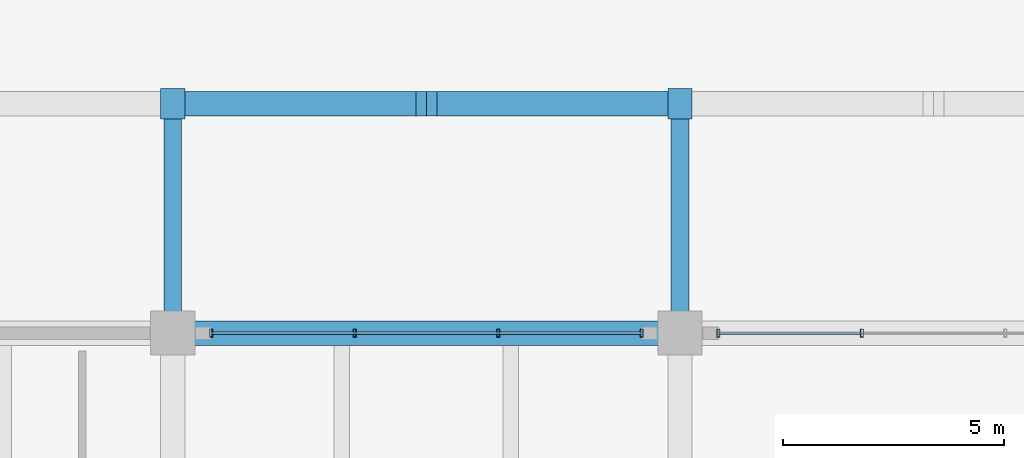
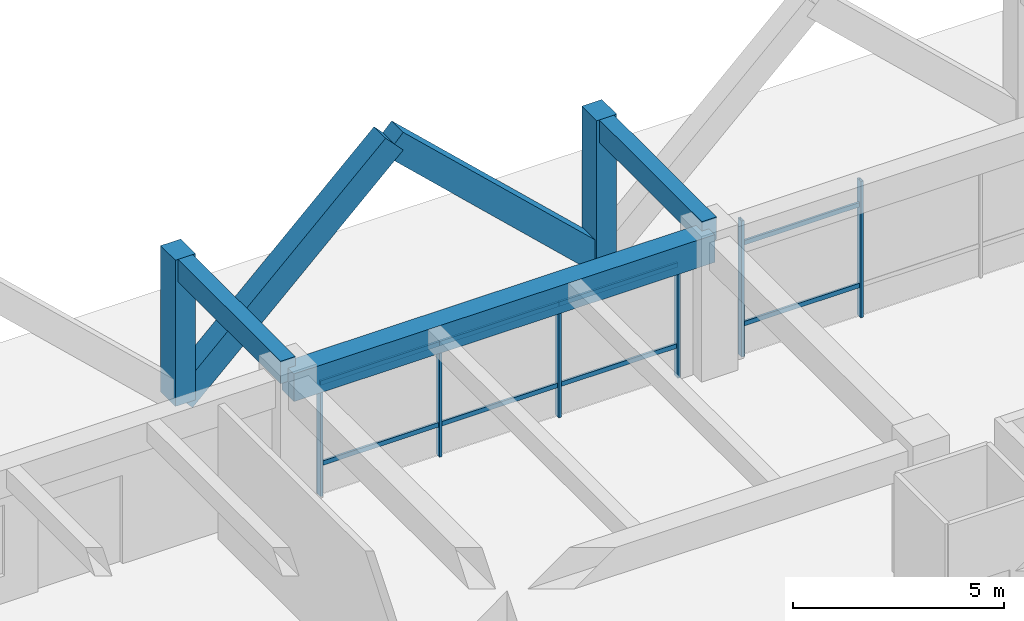
# One storey, part 68 of 109: 18 members, 3 beams, 2 elements without a shape of their own.
"""IFC4 building model written with IfcOpenShell, lengths in metres."""

import ifcopenshell
import ifcopenshell.guid

model = None  # the IFC model being written
_history = None  # IfcOwnerHistory: only IFC2X3 demands one
_inside = {}  # id of a spatial element -> (the spatial element, [elements in it])
_under = {}  # id of a project, library or spatial element -> (it, [spatial elements below it])
_declared = {}  # id of a project -> (the project, [libraries it declares])
_typed = {}  # id of a type object -> (the type object, [elements of that type])
_made_of = {}  # id of a material, layer set ... -> (it, [elements and type objects made of it])


def new_model(schema):
    """Start an empty IFC model of exactly this schema.

    Asked for "IFC4X3", IfcOpenShell would pick the latest addendum, in which some entities
    have other attributes; the version numbers below select the first issue.
    IFC2X3 requires an IfcOwnerHistory on every rooted entity: one is made here for all.
    """
    global model, _history
    if schema == "IFC4X3":
        model = ifcopenshell.file(schema_version=(4, 3, 0, 0))
    else:
        model = ifcopenshell.file(schema=schema)
    _inside.clear()
    _under.clear()
    _declared.clear()
    _typed.clear()
    _made_of.clear()
    _history = None
    if model.schema == "IFC2X3":
        org = make("IfcOrganization", Name="unknown")
        user = make(
            "IfcPersonAndOrganization",
            ThePerson=make("IfcPerson", FamilyName="unknown"),
            TheOrganization=org,
        )
        app = make(
            "IfcApplication",
            ApplicationDeveloper=org,
            Version="unknown",
            ApplicationFullName="unknown",
            ApplicationIdentifier="unknown",
        )
        _history = make(
            "IfcOwnerHistory",
            OwningUser=user,
            OwningApplication=app,
            ChangeAction="ADDED",
            CreationDate=0,
        )
    return model


def make(cls, **values):
    """One entity of the class cls with the attributes given. An attribute that is None is left unset."""
    return model.create_entity(
        cls, **{name: value for name, value in values.items() if value is not None}
    )


def rooted(cls, **values):
    """An entity with a GlobalId (a new one), such as an element, a storey or a relation."""
    return make(cls, GlobalId=ifcopenshell.guid.new(), OwnerHistory=_history, **values)


def si_unit(unit_type, name, prefix=None):
    """IfcSIUnit, for example si_unit("LENGTHUNIT", "METRE", prefix="MILLI")."""
    return make("IfcSIUnit", UnitType=unit_type, Prefix=prefix, Name=name)


def assignment(units):
    """IfcUnitAssignment: the units of a project."""
    return None if units is None else make("IfcUnitAssignment", Units=units)


def point(xyz):
    """IfcCartesianPoint."""
    return None if xyz is None else make("IfcCartesianPoint", Coordinates=xyz)


def direction(xyz):
    """IfcDirection."""
    return None if xyz is None else make("IfcDirection", DirectionRatios=xyz)


def frame(location, z_axis=None, x_axis=None):
    """IfcAxis2Placement3D, a coordinate frame: its origin and axes. An axis left out is left unset."""
    return make(
        "IfcAxis2Placement3D",
        Location=point(location),
        Axis=direction(z_axis),
        RefDirection=direction(x_axis),
    )


def frame_2d(location, x_axis=None):
    """IfcAxis2Placement2D, a coordinate frame in the plane: its origin and x axis."""
    return make(
        "IfcAxis2Placement2D", Location=point(location), RefDirection=direction(x_axis)
    )


def origin():
    """The frame at (0, 0, 0) with its axes left unset."""
    return frame((0.0, 0.0, 0.0))


def origin_2d():
    """The frame at (0, 0) in the plane with its x axis left unset."""
    return frame_2d((0.0, 0.0))


def place(relative_to, where):
    """IfcLocalPlacement: puts the frame where relative to a parent placement (None: the world)."""
    return make(
        "IfcLocalPlacement", PlacementRelTo=relative_to, RelativePlacement=where
    )


def context(
    kind, dimensions, precision=None, world=None, true_north=None, identifier=None
):
    """IfcGeometricRepresentationContext, for example the 3D "Model" context."""
    return make(
        "IfcGeometricRepresentationContext",
        ContextIdentifier=identifier,
        ContextType=kind,
        CoordinateSpaceDimension=dimensions,
        Precision=precision,
        WorldCoordinateSystem=world,
        TrueNorth=true_north,
    )


def subcontext(parent, identifier, kind, view, scale=None):
    """IfcGeometricRepresentationSubContext, for example "Body" below "Model"."""
    return make(
        "IfcGeometricRepresentationSubContext",
        ContextIdentifier=identifier,
        ContextType=kind,
        ParentContext=parent,
        TargetScale=scale,
        TargetView=view,
    )


def project(units=None, contexts=None):
    """IfcProject with its units and contexts."""
    return rooted(
        "IfcProject",
        Name="project",
        RepresentationContexts=contexts,
        UnitsInContext=assignment(units),
    )


def spatial(cls, under=None, at=None, **own):
    """A site, building, storey or space (cls), placed at a placement, below another one or the project."""
    s = rooted(cls, ObjectPlacement=at, **own)
    if under is not None:
        _under.setdefault(under.id(), (under, []))[1].append(s)
    return s


def profile(cls, at=None, kind="AREA", **sizes):
    """A parametric profile (cls). Its sizes go by their IFC names, for example OverallWidth=200.0."""
    return make(cls, ProfileType=kind, Position=at, **sizes)


def rectangle(**sizes):
    """IfcRectangleProfileDef."""
    return profile("IfcRectangleProfileDef", **sizes)


def hollow_rectangle(**sizes):
    """IfcRectangleHollowProfileDef."""
    return profile("IfcRectangleHollowProfileDef", **sizes)


def extrude(swept, where, along, depth):
    """IfcExtrudedAreaSolid: the profile swept, set in the frame where, extruded along a direction by depth."""
    return make(
        "IfcExtrudedAreaSolid",
        SweptArea=swept,
        Position=where,
        ExtrudedDirection=direction(along),
        Depth=depth,
    )


def shape(context_of_items, identifier, shape_type, items):
    """IfcShapeRepresentation: the items that make up one representation, for example the "Body"."""
    return make(
        "IfcShapeRepresentation",
        ContextOfItems=context_of_items,
        RepresentationIdentifier=identifier,
        RepresentationType=shape_type,
        Items=items,
    )


def material(Name=None, Category=None):
    """IfcMaterial."""
    return make("IfcMaterial", Name=Name, Category=Category)


def material_profile(
    of_material, cross_section, Name=None, Category=None, Priority=None
):
    """IfcMaterialProfile: a cross section and its material."""
    return make(
        "IfcMaterialProfile",
        Name=Name,
        Material=of_material,
        Profile=cross_section,
        Priority=Priority,
        Category=Category,
    )


def profile_set(profiles, Name=None, composite=None):
    """IfcMaterialProfileSet."""
    return make(
        "IfcMaterialProfileSet",
        Name=Name,
        MaterialProfiles=profiles,
        CompositeProfile=composite,
    )


def made_of(thing, what):
    """Note that an element or type object is made of a material, layer set ...; save() writes the relation."""
    if what is not None:
        _made_of.setdefault(what.id(), (what, []))[1].append(thing)
    return thing


def type_object(cls, material=None, **own):
    """A type object (cls), such as IfcWallType, which elements share."""
    return made_of(rooted(cls, **own), material)


def element(
    cls,
    number,
    at=None,
    inside=None,
    cuts=None,
    type_object=None,
    material=None,
    context=None,
    identifier="Body",
    shape_type=None,
    held_by="IfcProductDefinitionShape",
    body=None,
    shapes=None,
    **own,
):
    """One element of the class cls, such as IfcWall. Its Tag is "e" and its number.

    at: its placement. inside: the storey or other place that contains it. cuts: it is an
    opening in that element (IfcRelVoidsElement). A single representation is given by context,
    identifier, shape_type and body (its items); several are given by shapes. held_by: the class
    of the entity that holds the representations. save() writes the other relations.
    """
    e = rooted(cls, Tag="e%d" % number, ObjectPlacement=at, **own)
    if body is not None:
        shapes = [shape(context, identifier, shape_type, body)]
    if shapes is not None:
        e.Representation = make(held_by, Representations=shapes)
    if inside is not None:
        _inside.setdefault(inside.id(), (inside, []))[1].append(e)
    if cuts is not None:
        rooted(
            "IfcRelVoidsElement", RelatingBuildingElement=cuts, RelatedOpeningElement=e
        )
    if type_object is not None:
        _typed.setdefault(type_object.id(), (type_object, []))[1].append(e)
    return made_of(e, material)


def aggregate(whole, parts):
    """IfcRelAggregates: a whole, such as a stair, and the parts it consists of."""
    return rooted("IfcRelAggregates", RelatingObject=whole, RelatedObjects=parts)


def save(model, path):
    """Write the relations noted so far, then the file.

    IfcRelAggregates (storeys below a building ...), IfcRelContainedInSpatialStructure (elements
    in a storey), IfcRelDefinesByType, IfcRelAssociatesMaterial and IfcRelDeclares: one each for
    every whole, place, type object, material and project.
    """
    for whole, parts in _under.values():
        aggregate(whole, parts)
    for where, things in _inside.values():
        rooted(
            "IfcRelContainedInSpatialStructure",
            RelatedElements=things,
            RelatingStructure=where,
        )
    for kind, things in _typed.values():
        rooted("IfcRelDefinesByType", RelatedObjects=things, RelatingType=kind)
    for what, things in _made_of.values():
        rooted("IfcRelAssociatesMaterial", RelatedObjects=things, RelatingMaterial=what)
    for by, libraries in _declared.values():
        rooted("IfcRelDeclares", RelatingContext=by, RelatedDefinitions=libraries)
    model.write(path)


model = new_model("IFC4")

# Units and contexts
model_context = context("Model", 3, precision=1e-05, world=origin(), true_north=direction((0.0, 1.0)))
body_context = subcontext(model_context, "Body", "Model", "MODEL_VIEW")
ifc_project = project(units=[si_unit("LENGTHUNIT", "METRE"), si_unit("AREAUNIT", "SQUARE_METRE"), si_unit("VOLUMEUNIT", "CUBIC_METRE"), si_unit("PLANEANGLEUNIT", "RADIAN"), si_unit("MASSUNIT", "GRAM", prefix="KILO")], contexts=[model_context])

# Site, building, storey
site_placement = place(None, origin())
site = spatial("IfcSite", under=ifc_project, at=site_placement, CompositionType="ELEMENT")
building_placement = place(site_placement, origin())
building = spatial("IfcBuilding", under=site, at=building_placement, Name="Ologun Quay Terminus", CompositionType="ELEMENT")
storey_placement = place(building_placement, origin())
storey = spatial("IfcBuildingStorey", under=building, at=storey_placement, Name="L00", CompositionType="ELEMENT", Elevation=0.0)

# Beam
ifc_material_1 = material(Name="Concrete C40/50", Category="concrete")
ifc_material_profile_1 = material_profile(ifc_material_1, rectangle(XDim=0.550048828125, YDim=0.800048828125, at=origin_2d()), Name="RC 550x800")
ifc_profile_set_1 = profile_set([ifc_material_profile_1], Name="Concrete C40/50")
beam_type_1 = type_object("IfcBeamType", Name="Courtyard Wing Primary Girder 550x800", PredefinedType="BEAM", material=ifc_profile_set_1)
beam_placement = place(storey_placement, frame((126.5, 114.800048828125, 3.550048828125), z_axis=(1.0, 0.0, 0.0), x_axis=(0.0, 1.0, 0.0)))
element("IfcBeam", 1, at=beam_placement, inside=storey, type_object=beam_type_1, Name="B4 Beam 12/K L00", PredefinedType="BEAM", context=body_context, shape_type="SweptSolid", body=[
    extrude(rectangle(XDim=0.550048828125, YDim=0.800048828125, at=origin_2d()), origin(), (0.0, 0.0, 1.0), 11.5),
])

# Curtain wall, members
ifc_material_2 = material(Name="Aluminium 6063-T6", Category="aluminium")
curtain_wall_type = type_object("IfcCurtainWallType", Name="Waterfront Pavilion Harbour Curtain Wall L00 10500x3750", PredefinedType="USERDEFINED", material=ifc_material_2)
curtain_wall_1_placement = place(storey_placement, origin())
curtain_wall_1 = element("IfcCurtainWall", 2, at=curtain_wall_1_placement, inside=storey, type_object=curtain_wall_type, Name="CW-22 Curtain Wall CW-L00-120", ObjectType="UNITISED CURTAIN WALL", PredefinedType="USERDEFINED")
ifc_material_3 = material(Name="Aluminium 6063-T6", Category="aluminium")
ifc_material_profile_2 = material_profile(ifc_material_3, hollow_rectangle(XDim=0.070068359375, YDim=0.179931640625, WallThickness=0.0048828125, at=origin_2d()), Name="ALU 180x70x5")
ifc_profile_set_2 = profile_set([ifc_material_profile_2], Name="Aluminium 6063-T6")
member_type_1 = type_object("IfcMemberType", Name="Curtain Wall Heavy Mullion 180x70", PredefinedType="MULLION", material=ifc_profile_set_2)
member_1_placement = place(storey_placement, frame((127.3701171875, 114.800048828125, 0.0), z_axis=(0.0, 0.0, 1.0), x_axis=(1.0, 0.0, 0.0)))
member_1 = element("IfcMember", 3, at=member_1_placement, type_object=member_type_1, Name="CW-L00-120 Mullion 1", PredefinedType="MULLION", context=body_context, shape_type="SweptSolid", body=[
    extrude(hollow_rectangle(XDim=0.070068359375, YDim=0.179931640625, WallThickness=0.0048828125, at=origin_2d()), origin(), (0.0, 0.0, 1.0), 3.929931640625),
])
member_2_placement = place(storey_placement, frame((130.623291015625, 114.800048828125, 0.0), z_axis=(0.0, 0.0, 1.0), x_axis=(1.0, 0.0, 0.0)))
member_2 = element("IfcMember", 4, at=member_2_placement, type_object=member_type_1, Name="CW-L00-120 Mullion 2", PredefinedType="MULLION", context=body_context, shape_type="SweptSolid", body=[
    extrude(hollow_rectangle(XDim=0.070068359375, YDim=0.179931640625, WallThickness=0.0048828125, at=origin_2d()), origin(), (0.0, 0.0, 1.0), 3.929931640625),
])
member_3_placement = place(storey_placement, frame((133.876708984375, 114.800048828125, 0.0), z_axis=(0.0, 0.0, 1.0), x_axis=(1.0, 0.0, 0.0)))
member_3 = element("IfcMember", 5, at=member_3_placement, type_object=member_type_1, Name="CW-L00-120 Mullion 3", PredefinedType="MULLION", context=body_context, shape_type="SweptSolid", body=[
    extrude(hollow_rectangle(XDim=0.070068359375, YDim=0.179931640625, WallThickness=0.0048828125, at=origin_2d()), origin(), (0.0, 0.0, 1.0), 3.929931640625),
])
member_4_placement = place(storey_placement, frame((137.1298828125, 114.800048828125, 0.0), z_axis=(0.0, 0.0, 1.0), x_axis=(1.0, 0.0, 0.0)))
member_4 = element("IfcMember", 6, at=member_4_placement, type_object=member_type_1, Name="CW-L00-120 Mullion 4", PredefinedType="MULLION", context=body_context, shape_type="SweptSolid", body=[
    extrude(hollow_rectangle(XDim=0.070068359375, YDim=0.179931640625, WallThickness=0.0048828125, at=origin_2d()), origin(), (0.0, 0.0, 1.0), 3.929931640625),
])

curtain_wall_2_placement = place(storey_placement, origin())
curtain_wall_2 = element("IfcCurtainWall", 7, at=curtain_wall_2_placement, inside=storey, type_object=curtain_wall_type, Name="CW-22 Curtain Wall CW-L00-121", ObjectType="UNITISED CURTAIN WALL", PredefinedType="USERDEFINED")
member_5_placement = place(storey_placement, frame((138.8701171875, 114.800048828125, 0.0), z_axis=(0.0, 0.0, 1.0), x_axis=(1.0, 0.0, 0.0)))
member_5 = element("IfcMember", 8, at=member_5_placement, type_object=member_type_1, Name="CW-L00-121 Mullion 1", PredefinedType="MULLION", context=body_context, shape_type="SweptSolid", body=[
    extrude(hollow_rectangle(XDim=0.070068359375, YDim=0.179931640625, WallThickness=0.0048828125, at=origin_2d()), origin(), (0.0, 0.0, 1.0), 3.929931640625),
])
member_6_placement = place(storey_placement, frame((142.123291015625, 114.800048828125, 0.0), z_axis=(0.0, 0.0, 1.0), x_axis=(1.0, 0.0, 0.0)))
member_6 = element("IfcMember", 9, at=member_6_placement, type_object=member_type_1, Name="CW-L00-121 Mullion 2", PredefinedType="MULLION", context=body_context, shape_type="SweptSolid", body=[
    extrude(hollow_rectangle(XDim=0.070068359375, YDim=0.179931640625, WallThickness=0.0048828125, at=origin_2d()), origin(), (0.0, 0.0, 1.0), 3.929931640625),
])

# Member
ifc_material_4 = material(Name="Aluminium 6063-T6", Category="aluminium")
ifc_material_profile_3 = material_profile(ifc_material_4, hollow_rectangle(XDim=0.06005859375, YDim=0.1298828125, WallThickness=0.00390625, at=origin_2d()), Name="ALU 130x60x4")
ifc_profile_set_3 = profile_set([ifc_material_profile_3], Name="Aluminium 6063-T6")
member_type_2 = type_object("IfcMemberType", Name="Curtain Wall Heavy Transom 130x60", PredefinedType="USERDEFINED", material=ifc_profile_set_3)
member_7_placement = place(storey_placement, frame((127.3701171875, 114.800048828125, 0.89990234375), z_axis=(1.0, 0.0, 0.0), x_axis=(0.0, 1.0, 0.0)))
member_7 = element("IfcMember", 10, at=member_7_placement, type_object=member_type_2, Name="CW-L00-120 Transom B1-1", ObjectType="TRANSOM", PredefinedType="USERDEFINED", context=body_context, shape_type="SweptSolid", body=[
    extrude(hollow_rectangle(XDim=0.06005859375, YDim=0.1298828125, WallThickness=0.00390625, at=origin_2d()), origin(), (0.0, 0.0, 1.0), 3.253173828125),
])

member_8_placement = place(storey_placement, frame((127.3701171875, 114.800048828125, 3.22998046875), z_axis=(1.0, 0.0, 0.0), x_axis=(0.0, 1.0, 0.0)))
member_8 = element("IfcMember", 11, at=member_8_placement, type_object=member_type_2, Name="CW-L00-120 Transom B1-2", ObjectType="TRANSOM", PredefinedType="USERDEFINED", context=body_context, shape_type="SweptSolid", body=[
    extrude(hollow_rectangle(XDim=0.06005859375, YDim=0.1298828125, WallThickness=0.00390625, at=origin_2d()), origin(), (0.0, 0.0, 1.0), 3.253173828125),
])

member_9_placement = place(storey_placement, frame((130.623291015625, 114.800048828125, 0.89990234375), z_axis=(1.0, 0.0, 0.0), x_axis=(0.0, 1.0, 0.0)))
member_9 = element("IfcMember", 12, at=member_9_placement, type_object=member_type_2, Name="CW-L00-120 Transom B2-1", ObjectType="TRANSOM", PredefinedType="USERDEFINED", context=body_context, shape_type="SweptSolid", body=[
    extrude(hollow_rectangle(XDim=0.06005859375, YDim=0.1298828125, WallThickness=0.00390625, at=origin_2d()), origin(), (0.0, 0.0, 1.0), 3.25341796875),
])

member_10_placement = place(storey_placement, frame((130.623291015625, 114.800048828125, 3.22998046875), z_axis=(1.0, 0.0, 0.0), x_axis=(0.0, 1.0, 0.0)))
member_10 = element("IfcMember", 13, at=member_10_placement, type_object=member_type_2, Name="CW-L00-120 Transom B2-2", ObjectType="TRANSOM", PredefinedType="USERDEFINED", context=body_context, shape_type="SweptSolid", body=[
    extrude(hollow_rectangle(XDim=0.06005859375, YDim=0.1298828125, WallThickness=0.00390625, at=origin_2d()), origin(), (0.0, 0.0, 1.0), 3.25341796875),
])

member_11_placement = place(storey_placement, frame((133.876708984375, 114.800048828125, 0.89990234375), z_axis=(1.0, 0.0, 0.0), x_axis=(0.0, 1.0, 0.0)))
member_11 = element("IfcMember", 14, at=member_11_placement, type_object=member_type_2, Name="CW-L00-120 Transom B3-1", ObjectType="TRANSOM", PredefinedType="USERDEFINED", context=body_context, shape_type="SweptSolid", body=[
    extrude(hollow_rectangle(XDim=0.06005859375, YDim=0.1298828125, WallThickness=0.00390625, at=origin_2d()), origin(), (0.0, 0.0, 1.0), 3.253173828125),
])

member_12_placement = place(storey_placement, frame((133.876708984375, 114.800048828125, 3.22998046875), z_axis=(1.0, 0.0, 0.0), x_axis=(0.0, 1.0, 0.0)))
member_12 = element("IfcMember", 15, at=member_12_placement, type_object=member_type_2, Name="CW-L00-120 Transom B3-2", ObjectType="TRANSOM", PredefinedType="USERDEFINED", context=body_context, shape_type="SweptSolid", body=[
    extrude(hollow_rectangle(XDim=0.06005859375, YDim=0.1298828125, WallThickness=0.00390625, at=origin_2d()), origin(), (0.0, 0.0, 1.0), 3.253173828125),
])

aggregate(curtain_wall_1, [member_1, member_2, member_3, member_4, member_7, member_8, member_9, member_10, member_11, member_12])

member_13_placement = place(storey_placement, frame((138.8701171875, 114.800048828125, 0.89990234375), z_axis=(1.0, 0.0, 0.0), x_axis=(0.0, 1.0, 0.0)))
member_13 = element("IfcMember", 16, at=member_13_placement, type_object=member_type_2, Name="CW-L00-121 Transom B1-1", ObjectType="TRANSOM", PredefinedType="USERDEFINED", context=body_context, shape_type="SweptSolid", body=[
    extrude(hollow_rectangle(XDim=0.06005859375, YDim=0.1298828125, WallThickness=0.00390625, at=origin_2d()), origin(), (0.0, 0.0, 1.0), 3.253173828125),
])

member_14_placement = place(storey_placement, frame((138.8701171875, 114.800048828125, 3.22998046875), z_axis=(1.0, 0.0, 0.0), x_axis=(0.0, 1.0, 0.0)))
member_14 = element("IfcMember", 17, at=member_14_placement, type_object=member_type_2, Name="CW-L00-121 Transom B1-2", ObjectType="TRANSOM", PredefinedType="USERDEFINED", context=body_context, shape_type="SweptSolid", body=[
    extrude(hollow_rectangle(XDim=0.06005859375, YDim=0.1298828125, WallThickness=0.00390625, at=origin_2d()), origin(), (0.0, 0.0, 1.0), 3.253173828125),
])

aggregate(curtain_wall_2, [member_5, member_6, member_13, member_14])

# Members
ifc_material_5 = material(Name="Concrete C45/55", Category="concrete")
ifc_material_profile_4 = material_profile(ifc_material_5, rectangle(XDim=0.550048828125, YDim=0.699951171875, at=origin_2d()), Name="RC 550x700")
ifc_profile_set_4 = profile_set([ifc_material_profile_4], Name="Concrete C45/55")
member_type_3 = type_object("IfcMemberType", Name="Folded Canopy Concrete V-Strut 550x700", PredefinedType="STRUT", material=ifc_profile_set_4)
for number, where, z_axis, x_axis, name in (
    (18, (126.5, 120.0, 0.0), (0.0, 0.0, 1.0), (1.0, 0.0, 0.0), "VS2 Harbour Colonnade Pier 12/L"),
    (19, (138.0, 120.0, 0.0), (0.0, 0.0, 1.0), (1.0, 0.0, 0.0), "VS2 Harbour Colonnade Pier 13/L"),
):
    element("IfcMember", number, at=place(storey_placement, frame(where, z_axis=z_axis, x_axis=x_axis)), inside=storey, type_object=member_type_3, Name=name, PredefinedType="STRUT", context=body_context, shape_type="SweptSolid", body=[
        extrude(rectangle(XDim=0.550048828125, YDim=0.699951171875, at=origin_2d()), origin(), (0.0, 0.0, 1.0), 4.219970703125),
    ])
for number, where, z_axis, x_axis, name in (
    (20, (126.5, 120.0, 0.0), (0.727684573488, 0.0, 0.685911919643), (0.0, 1.0, 0.0), "VS2 Colonnade Strut 12/L-E"),
    (21, (138.0, 120.0, 0.0), (-0.727684573488, 0.0, 0.685911919643), (0.0, -1.0, 0.0), "VS2 Colonnade Strut 13/L-W"),
):
    element("IfcMember", number, at=place(storey_placement, frame(where, z_axis=z_axis, x_axis=x_axis)), inside=storey, type_object=member_type_3, Name=name, PredefinedType="STRUT", context=body_context, shape_type="SweptSolid", body=[
        extrude(rectangle(XDim=0.550048828125, YDim=0.699951171875, at=origin_2d()), origin(), (0.0, 0.0, 1.0), 7.90185546875),
    ])

# Beams
ifc_material_6 = material(Name="Concrete C40/50", Category="concrete")
ifc_material_profile_5 = material_profile(ifc_material_6, rectangle(XDim=0.39990234375, YDim=0.64990234375, at=origin_2d()), Name="RC 400x650")
ifc_profile_set_5 = profile_set([ifc_material_profile_5], Name="Concrete C40/50")
beam_type_2 = type_object("IfcBeamType", Name="Station Secondary Joist 400x650", PredefinedType="JOIST", material=ifc_profile_set_5)
for number, where, z_axis, x_axis, name in (
    (22, (126.5, 114.800048828125, 3.89501953125), (0.0, 1.0, 0.0), (-1.0, 0.0, 0.0), "J1 Beam 12/L L00"),
    (23, (138.0, 114.800048828125, 3.89501953125), (0.0, 1.0, 0.0), (-1.0, 0.0, 0.0), "J1 Beam 13/L L00"),
):
    element("IfcBeam", number, at=place(storey_placement, frame(where, z_axis=z_axis, x_axis=x_axis)), inside=storey, type_object=beam_type_2, Name=name, PredefinedType="JOIST", context=body_context, shape_type="SweptSolid", body=[
        extrude(rectangle(XDim=0.39990234375, YDim=0.64990234375, at=origin_2d()), origin(), (0.0, 0.0, 1.0), 5.199951171875),
    ])

save(model, "model.ifc")
